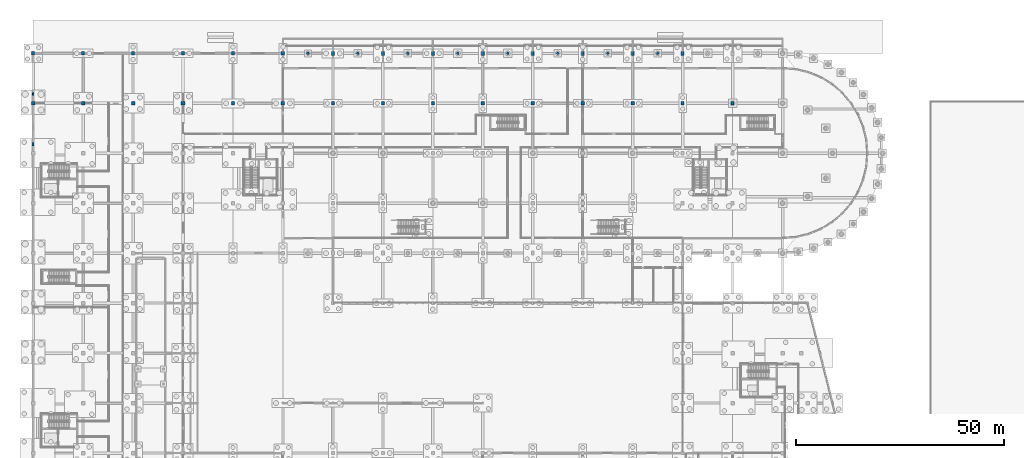
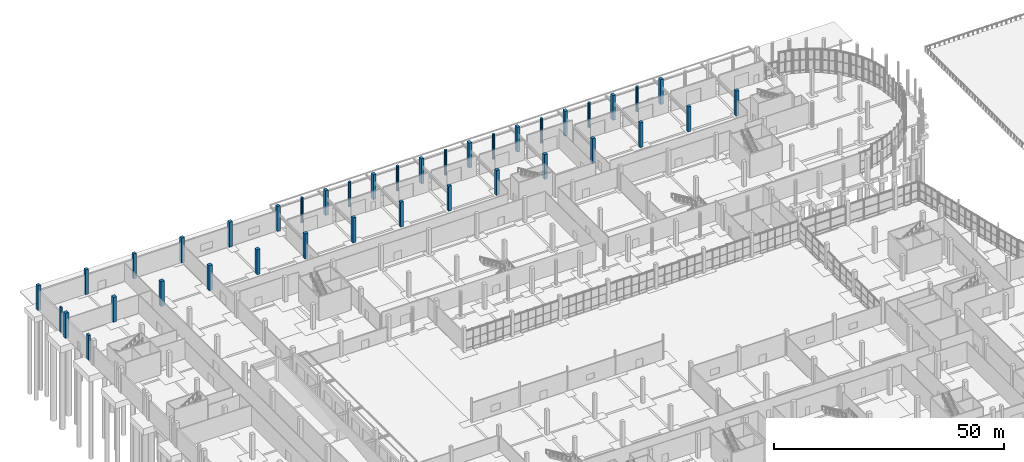
# One storey, part 42 of 117: 39 columns.
"""IFC4 building model written with IfcOpenShell, lengths in metres."""

from ifc_helpers import new_model, si_unit, direction, frame, origin, origin_2d, place, context, subcontext, project, spatial, rectangle, circle, extrude, material, material_profile, profile_set, type_object, element, save


model = new_model("IFC4")

# Units and contexts
model_context = context("Model", 3, precision=1e-05, world=origin(), true_north=direction((0.0, 1.0)))
body_context = subcontext(model_context, "Body", "Model", "MODEL_VIEW")
ifc_project = project(units=[si_unit("LENGTHUNIT", "METRE"), si_unit("AREAUNIT", "SQUARE_METRE"), si_unit("VOLUMEUNIT", "CUBIC_METRE"), si_unit("PLANEANGLEUNIT", "RADIAN"), si_unit("MASSUNIT", "GRAM", prefix="KILO")], contexts=[model_context])

# Site, building, storey
site_placement = place(None, origin())
site = spatial("IfcSite", under=ifc_project, at=site_placement, CompositionType="ELEMENT")
building_placement = place(site_placement, origin())
building = spatial("IfcBuilding", under=site, at=building_placement, Name="Kamomehara Wholesale Market", CompositionType="ELEMENT")
storey_placement = place(building_placement, origin())
storey = spatial("IfcBuildingStorey", under=building, at=storey_placement, Name="L00", CompositionType="ELEMENT", Elevation=0.0)

# Columns
ifc_material_1 = material(Name="Precast concrete Fc45 (C40/50)", Category="concrete")
ifc_material_profile_1 = material_profile(ifc_material_1, circle(Radius=0.324951171875, at=origin_2d()), Name="PC-ARC-D650")
ifc_profile_set_1 = profile_set([ifc_material_profile_1], Name="Precast concrete Fc45 (C40/50)")
column_type_1 = type_object("IfcColumnType", Name="COL-ARC650-EXT", PredefinedType="COLUMN", material=ifc_profile_set_1)
for number, where, z_axis, x_axis, name in (
    (1, (66.0, 156.0, 0.0), (0.0, 0.0, 1.0), (1.0, 0.0, 0.0), "Column CA-01E L00"),
    (2, (78.0, 156.0, 0.0), (0.0, 0.0, 1.0), (1.0, 0.0, 0.0), "Column CA-01E L00"),
    (3, (90.0, 156.0, 0.0), (0.0, 0.0, 1.0), (1.0, 0.0, 0.0), "Column CA-01E L00"),
    (4, (102.0, 156.0, 0.0), (0.0, 0.0, 1.0), (1.0, 0.0, 0.0), "Column CA-01E L00"),
    (5, (114.0, 156.0, 0.0), (0.0, 0.0, 1.0), (1.0, 0.0, 0.0), "Column CA-01E L00"),
    (6, (126.0, 156.0, 0.0), (0.0, 0.0, 1.0), (1.0, 0.0, 0.0), "Column CA-01E L00"),
    (7, (138.0, 156.0, 0.0), (0.0, 0.0, 1.0), (1.0, 0.0, 0.0), "Column CA-01E L00"),
    (8, (150.0, 156.0, 0.0), (0.0, 0.0, 1.0), (1.0, 0.0, 0.0), "Column CA-01E L00"),
):
    element("IfcColumn", number, at=place(storey_placement, frame(where, z_axis=z_axis, x_axis=x_axis)), inside=storey, type_object=column_type_1, Name=name, PredefinedType="COLUMN", context=body_context, shape_type="SweptSolid", body=[
        extrude(circle(Radius=0.324951171875, at=origin_2d()), origin(), (0.0, 0.0, 1.0), 6.60009765625),
    ])
ifc_material_2 = material(Name="Precast concrete Fc45 (C40/50)", Category="concrete")
ifc_material_profile_2 = material_profile(ifc_material_2, rectangle(XDim=0.75, YDim=0.75, at=origin_2d()), Name="PC-COL-750x750")
ifc_profile_set_2 = profile_set([ifc_material_profile_2], Name="Precast concrete Fc45 (C40/50)")
column_type_2 = type_object("IfcColumnType", Name="COL-PC750", PredefinedType="COLUMN", material=ifc_profile_set_2)
for number, where, z_axis, x_axis, name in (
    (9, (72.0, 144.0, 0.0), (0.0, 0.0, 1.0), (1.0, 0.0, 0.0), "Column C-04 L00"),
    (10, (84.0, 144.0, 0.0), (0.0, 0.0, 1.0), (1.0, 0.0, 0.0), "Column C-04 L00"),
    (11, (96.0, 144.0, 0.0), (0.0, 0.0, 1.0), (1.0, 0.0, 0.0), "Column C-04 L00"),
    (12, (120.0, 144.0, 0.0), (0.0, 0.0, 1.0), (1.0, 0.0, 0.0), "Column C-04 L00"),
    (13, (132.0, 144.0, 0.0), (0.0, 0.0, 1.0), (1.0, 0.0, 0.0), "Column C-04 L00"),
    (14, (144.0, 144.0, 0.0), (0.0, 0.0, 1.0), (1.0, 0.0, 0.0), "Column C-04 L00"),
):
    element("IfcColumn", number, at=place(storey_placement, frame(where, z_axis=z_axis, x_axis=x_axis)), inside=storey, type_object=column_type_2, Name=name, PredefinedType="COLUMN", context=body_context, shape_type="SweptSolid", body=[
        extrude(rectangle(XDim=0.75, YDim=0.75, at=origin_2d()), origin(), (0.0, 0.0, 1.0), 6.60009765625),
    ])
ifc_material_3 = material(Name="Precast concrete Fc45 (C40/50)", Category="concrete")
ifc_material_profile_3 = material_profile(ifc_material_3, rectangle(XDim=0.75, YDim=0.75, at=origin_2d()), Name="PC-COL-750x750")
ifc_profile_set_3 = profile_set([ifc_material_profile_3], Name="Precast concrete Fc45 (C40/50)")
column_type_3 = type_object("IfcColumnType", Name="COL-PC750-EXT", PredefinedType="COLUMN", material=ifc_profile_set_3)
for number, where, z_axis, x_axis, name in (
    (15, (0.0, 156.0, 0.0), (0.0, 0.0, 1.0), (1.0, 0.0, 0.0), "Column C-04E L00"),
    (16, (12.0, 156.0, 0.0), (0.0, 0.0, 1.0), (1.0, 0.0, 0.0), "Column C-04E L00"),
    (17, (24.0, 156.0, 0.0), (0.0, 0.0, 1.0), (1.0, 0.0, 0.0), "Column C-04E L00"),
    (18, (36.0, 156.0, 0.0), (0.0, 0.0, 1.0), (1.0, 0.0, 0.0), "Column C-04E L00"),
    (19, (108.0, 144.0, 0.0), (0.0, 0.0, 1.0), (1.0, 0.0, 0.0), "Column C-04E L00"),
    (20, (156.0, 144.0, 0.0), (0.0, 0.0, 1.0), (1.0, 0.0, 0.0), "Column C-04E L00"),
    (21, (168.0, 144.0, 0.0), (0.0, 0.0, 1.0), (1.0, 0.0, 0.0), "Column C-04E L00"),
):
    element("IfcColumn", number, at=place(storey_placement, frame(where, z_axis=z_axis, x_axis=x_axis)), inside=storey, type_object=column_type_3, Name=name, PredefinedType="COLUMN", context=body_context, shape_type="SweptSolid", body=[
        extrude(rectangle(XDim=0.75, YDim=0.75, at=origin_2d()), origin(), (0.0, 0.0, 1.0), 6.60009765625),
    ])
ifc_material_4 = material(Name="Precast concrete Fc45 (C40/50)", Category="concrete")
ifc_material_profile_4 = material_profile(ifc_material_4, rectangle(XDim=0.820068359375, YDim=0.820068359375, at=origin_2d()), Name="PC-COL-820x820")
ifc_profile_set_4 = profile_set([ifc_material_profile_4], Name="Precast concrete Fc45 (C40/50)")
column_type_4 = type_object("IfcColumnType", Name="COL-PC820", PredefinedType="COLUMN", material=ifc_profile_set_4)
column_1_placement = place(storey_placement, frame((48.0, 144.0, 0.0), z_axis=(0.0, 0.0, 1.0), x_axis=(1.0, 0.0, 0.0)))
element("IfcColumn", 22, at=column_1_placement, inside=storey, type_object=column_type_4, Name="Column C-12 L00", PredefinedType="COLUMN", context=body_context, shape_type="SweptSolid", body=[
    extrude(rectangle(XDim=0.820068359375, YDim=0.820068359375, at=origin_2d()), origin(), (0.0, 0.0, 1.0), 6.60009765625),
])
ifc_material_5 = material(Name="Precast concrete Fc45 (C40/50)", Category="concrete")
ifc_material_profile_5 = material_profile(ifc_material_5, rectangle(XDim=0.820068359375, YDim=0.820068359375, at=origin_2d()), Name="PC-COL-820x820")
ifc_profile_set_5 = profile_set([ifc_material_profile_5], Name="Precast concrete Fc45 (C40/50)")
column_type_5 = type_object("IfcColumnType", Name="COL-PC820-EXT", PredefinedType="COLUMN", material=ifc_profile_set_5)
for number, where, z_axis, x_axis, name in (
    (23, (48.0, 156.0, 0.0), (0.0, 0.0, 1.0), (1.0, 0.0, 0.0), "Column C-12E L00"),
    (24, (60.0, 144.0, 0.0), (0.0, 0.0, 1.0), (1.0, 0.0, 0.0), "Column C-12E L00"),
    (25, (60.0, 156.0, 0.0), (0.0, 0.0, 1.0), (1.0, 0.0, 0.0), "Column C-12E L00"),
):
    element("IfcColumn", number, at=place(storey_placement, frame(where, z_axis=z_axis, x_axis=x_axis)), inside=storey, type_object=column_type_5, Name=name, PredefinedType="COLUMN", context=body_context, shape_type="SweptSolid", body=[
        extrude(rectangle(XDim=0.820068359375, YDim=0.820068359375, at=origin_2d()), origin(), (0.0, 0.0, 1.0), 6.60009765625),
    ])
ifc_material_6 = material(Name="Precast concrete Fc45 (C40/50)", Category="concrete")
ifc_material_profile_6 = material_profile(ifc_material_6, rectangle(XDim=0.85009765625, YDim=0.85009765625, at=origin_2d()), Name="PC-COL-850x850")
ifc_profile_set_6 = profile_set([ifc_material_profile_6], Name="Precast concrete Fc45 (C40/50)")
column_type_6 = type_object("IfcColumnType", Name="COL-PC850", PredefinedType="COLUMN", material=ifc_profile_set_6)
for number, where, z_axis, x_axis, name in (
    (26, (12.0, 144.0, 0.0), (0.0, 0.0, 1.0), (1.0, 0.0, 0.0), "Column C-02 L00"),
    (27, (24.0, 144.0, 0.0), (0.0, 0.0, 1.0), (1.0, 0.0, 0.0), "Column C-02 L00"),
):
    element("IfcColumn", number, at=place(storey_placement, frame(where, z_axis=z_axis, x_axis=x_axis)), inside=storey, type_object=column_type_6, Name=name, PredefinedType="COLUMN", context=body_context, shape_type="SweptSolid", body=[
        extrude(rectangle(XDim=0.85009765625, YDim=0.85009765625, at=origin_2d()), origin(), (0.0, 0.0, 1.0), 6.60009765625),
    ])
ifc_material_7 = material(Name="Precast concrete Fc45 (C40/50)", Category="concrete")
ifc_material_profile_7 = material_profile(ifc_material_7, rectangle(XDim=0.85009765625, YDim=0.85009765625, at=origin_2d()), Name="PC-COL-850x850")
ifc_profile_set_7 = profile_set([ifc_material_profile_7], Name="Precast concrete Fc45 (C40/50)")
column_type_7 = type_object("IfcColumnType", Name="COL-PC850-EXT", PredefinedType="COLUMN", material=ifc_profile_set_7)
for number, where, z_axis, x_axis, name in (
    (28, (0.0, 144.0, 0.0), (0.0, 0.0, 1.0), (1.0, 0.0, 0.0), "Column C-02E L00"),
    (29, (36.0, 144.0, 0.0), (0.0, 0.0, 1.0), (1.0, 0.0, 0.0), "Column C-02E L00"),
):
    element("IfcColumn", number, at=place(storey_placement, frame(where, z_axis=z_axis, x_axis=x_axis)), inside=storey, type_object=column_type_7, Name=name, PredefinedType="COLUMN", context=body_context, shape_type="SweptSolid", body=[
        extrude(rectangle(XDim=0.85009765625, YDim=0.85009765625, at=origin_2d()), origin(), (0.0, 0.0, 1.0), 6.60009765625),
    ])
ifc_material_8 = material(Name="Precast concrete Fc45 (C40/50)", Category="concrete")
ifc_material_profile_8 = material_profile(ifc_material_8, rectangle(XDim=0.699951171875, YDim=0.949951171875, at=origin_2d()), Name="PC-COL-700x950")
ifc_profile_set_8 = profile_set([ifc_material_profile_8], Name="Precast concrete Fc45 (C40/50)")
column_type_8 = type_object("IfcColumnType", Name="COL-PCR950-EXT", PredefinedType="COLUMN", material=ifc_profile_set_8)
for number, where, z_axis, x_axis, name in (
    (30, (72.0, 156.0, 0.0), (0.0, 0.0, 1.0), (1.0, 0.0, 0.0), "Column C-11E L00"),
    (31, (84.0, 156.0, 0.0), (0.0, 0.0, 1.0), (1.0, 0.0, 0.0), "Column C-11E L00"),
    (32, (96.0, 156.0, 0.0), (0.0, 0.0, 1.0), (1.0, 0.0, 0.0), "Column C-11E L00"),
    (33, (108.0, 156.0, 0.0), (0.0, 0.0, 1.0), (1.0, 0.0, 0.0), "Column C-11E L00"),
    (34, (120.0, 156.0, 0.0), (0.0, 0.0, 1.0), (1.0, 0.0, 0.0), "Column C-11E L00"),
    (35, (132.0, 156.0, 0.0), (0.0, 0.0, 1.0), (1.0, 0.0, 0.0), "Column C-11E L00"),
    (36, (144.0, 156.0, 0.0), (0.0, 0.0, 1.0), (1.0, 0.0, 0.0), "Column C-11E L00"),
    (37, (156.0, 156.0, 0.0), (0.0, 0.0, 1.0), (1.0, 0.0, 0.0), "Column C-11E L00"),
):
    element("IfcColumn", number, at=place(storey_placement, frame(where, z_axis=z_axis, x_axis=x_axis)), inside=storey, type_object=column_type_8, Name=name, PredefinedType="COLUMN", context=body_context, shape_type="SweptSolid", body=[
        extrude(rectangle(XDim=0.699951171875, YDim=0.949951171875, at=origin_2d()), origin(), (0.0, 0.0, 1.0), 6.60009765625),
    ])
ifc_material_9 = material(Name="Precast concrete Fc45 (C40/50)", Category="concrete")
ifc_material_profile_9 = material_profile(ifc_material_9, rectangle(XDim=0.39990234375, YDim=0.64990234375, at=origin_2d()), Name="PC-PIL-400x650")
ifc_profile_set_9 = profile_set([ifc_material_profile_9], Name="Precast concrete Fc45 (C40/50)")
column_type_9 = type_object("IfcColumnType", Name="PIL-PC650-EXT", PredefinedType="PILASTER", material=ifc_profile_set_9)
column_2_placement = place(storey_placement, frame((0.0, 146.199951171875, 0.0), z_axis=(0.0, 0.0, 1.0), x_axis=(1.0, 0.0, 0.0)))
element("IfcColumn", 38, at=column_2_placement, inside=storey, type_object=column_type_9, Name="Column PL-01E L00", PredefinedType="PILASTER", context=body_context, shape_type="SweptSolid", body=[
    extrude(rectangle(XDim=0.39990234375, YDim=0.64990234375, at=origin_2d()), origin(), (0.0, 0.0, 1.0), 6.60009765625),
])
ifc_material_10 = material(Name="Precast concrete Fc45 (C40/50)", Category="concrete")
ifc_material_profile_10 = material_profile(ifc_material_10, rectangle(XDim=0.5, YDim=0.85009765625, at=origin_2d()), Name="PC-PIL-500x850")
ifc_profile_set_10 = profile_set([ifc_material_profile_10], Name="Precast concrete Fc45 (C40/50)")
column_type_10 = type_object("IfcColumnType", Name="PIL-PC850-EXT", PredefinedType="PILASTER", material=ifc_profile_set_10)
column_3_placement = place(storey_placement, frame((0.0, 134.199951171875, 0.0), z_axis=(0.0, 0.0, 1.0), x_axis=(1.0, 0.0, 0.0)))
element("IfcColumn", 39, at=column_3_placement, inside=storey, type_object=column_type_10, Name="Column PL-03E L00", PredefinedType="PILASTER", context=body_context, shape_type="SweptSolid", body=[
    extrude(rectangle(XDim=0.5, YDim=0.85009765625, at=origin_2d()), origin(), (0.0, 0.0, 1.0), 6.60009765625),
])

save(model, "model.ifc")
